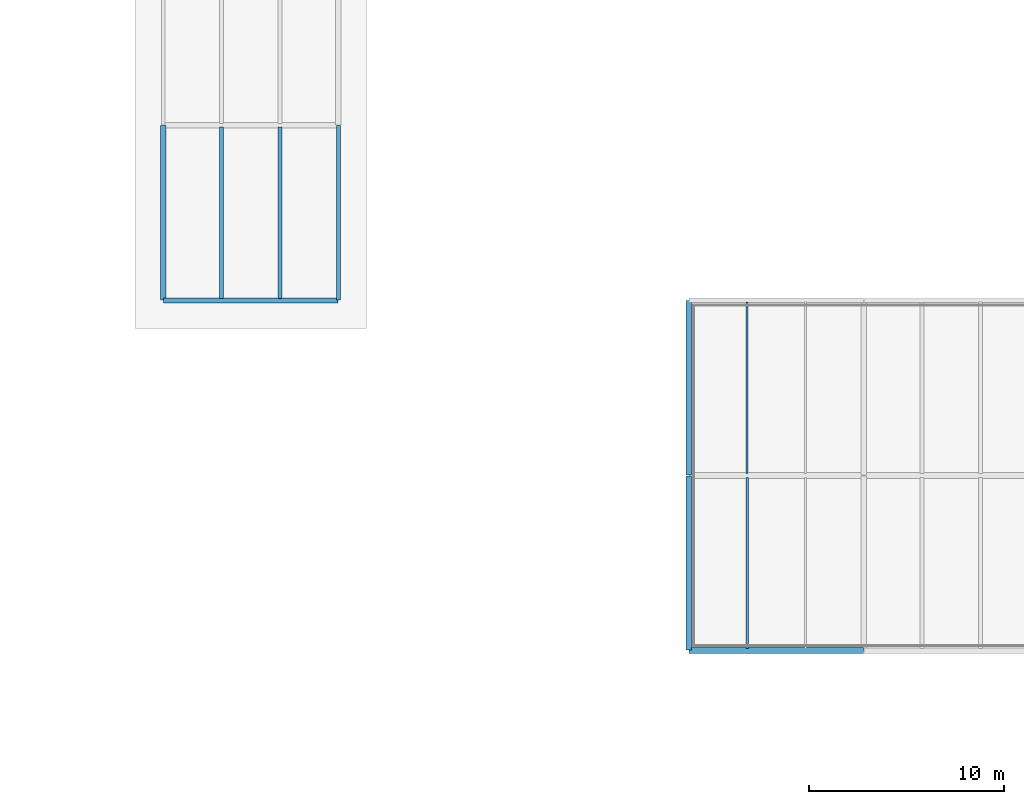
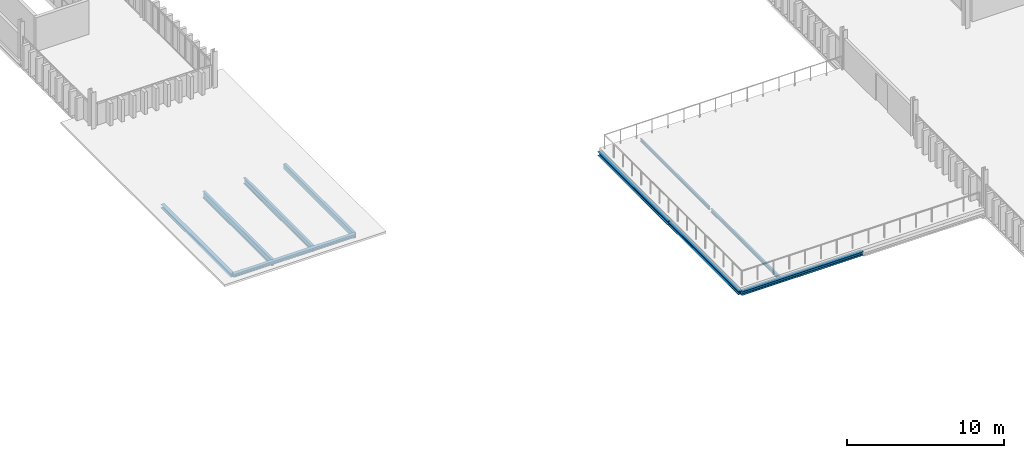
# One storey, part 12 of 58: 10 beams.
"""IFC4 building model written with IfcOpenShell, lengths in metres."""

import ifcopenshell
import ifcopenshell.guid

model = None  # the IFC model being written
_history = None  # IfcOwnerHistory: only IFC2X3 demands one
_inside = {}  # id of a spatial element -> (the spatial element, [elements in it])
_under = {}  # id of a project, library or spatial element -> (it, [spatial elements below it])
_declared = {}  # id of a project -> (the project, [libraries it declares])
_typed = {}  # id of a type object -> (the type object, [elements of that type])
_made_of = {}  # id of a material, layer set ... -> (it, [elements and type objects made of it])


def new_model(schema):
    """Start an empty IFC model of exactly this schema.

    Asked for "IFC4X3", IfcOpenShell would pick the latest addendum, in which some entities
    have other attributes; the version numbers below select the first issue.
    IFC2X3 requires an IfcOwnerHistory on every rooted entity: one is made here for all.
    """
    global model, _history
    if schema == "IFC4X3":
        model = ifcopenshell.file(schema_version=(4, 3, 0, 0))
    else:
        model = ifcopenshell.file(schema=schema)
    _inside.clear()
    _under.clear()
    _declared.clear()
    _typed.clear()
    _made_of.clear()
    _history = None
    if model.schema == "IFC2X3":
        org = make("IfcOrganization", Name="unknown")
        user = make(
            "IfcPersonAndOrganization",
            ThePerson=make("IfcPerson", FamilyName="unknown"),
            TheOrganization=org,
        )
        app = make(
            "IfcApplication",
            ApplicationDeveloper=org,
            Version="unknown",
            ApplicationFullName="unknown",
            ApplicationIdentifier="unknown",
        )
        _history = make(
            "IfcOwnerHistory",
            OwningUser=user,
            OwningApplication=app,
            ChangeAction="ADDED",
            CreationDate=0,
        )
    return model


def make(cls, **values):
    """One entity of the class cls with the attributes given. An attribute that is None is left unset."""
    return model.create_entity(
        cls, **{name: value for name, value in values.items() if value is not None}
    )


def rooted(cls, **values):
    """An entity with a GlobalId (a new one), such as an element, a storey or a relation."""
    return make(cls, GlobalId=ifcopenshell.guid.new(), OwnerHistory=_history, **values)


def si_unit(unit_type, name, prefix=None):
    """IfcSIUnit, for example si_unit("LENGTHUNIT", "METRE", prefix="MILLI")."""
    return make("IfcSIUnit", UnitType=unit_type, Prefix=prefix, Name=name)


def assignment(units):
    """IfcUnitAssignment: the units of a project."""
    return None if units is None else make("IfcUnitAssignment", Units=units)


def point(xyz):
    """IfcCartesianPoint."""
    return None if xyz is None else make("IfcCartesianPoint", Coordinates=xyz)


def direction(xyz):
    """IfcDirection."""
    return None if xyz is None else make("IfcDirection", DirectionRatios=xyz)


def frame(location, z_axis=None, x_axis=None):
    """IfcAxis2Placement3D, a coordinate frame: its origin and axes. An axis left out is left unset."""
    return make(
        "IfcAxis2Placement3D",
        Location=point(location),
        Axis=direction(z_axis),
        RefDirection=direction(x_axis),
    )


def frame_2d(location, x_axis=None):
    """IfcAxis2Placement2D, a coordinate frame in the plane: its origin and x axis."""
    return make(
        "IfcAxis2Placement2D", Location=point(location), RefDirection=direction(x_axis)
    )


def origin():
    """The frame at (0, 0, 0) with its axes left unset."""
    return frame((0.0, 0.0, 0.0))


def origin_2d():
    """The frame at (0, 0) in the plane with its x axis left unset."""
    return frame_2d((0.0, 0.0))


def place(relative_to, where):
    """IfcLocalPlacement: puts the frame where relative to a parent placement (None: the world)."""
    return make(
        "IfcLocalPlacement", PlacementRelTo=relative_to, RelativePlacement=where
    )


def context(
    kind, dimensions, precision=None, world=None, true_north=None, identifier=None
):
    """IfcGeometricRepresentationContext, for example the 3D "Model" context."""
    return make(
        "IfcGeometricRepresentationContext",
        ContextIdentifier=identifier,
        ContextType=kind,
        CoordinateSpaceDimension=dimensions,
        Precision=precision,
        WorldCoordinateSystem=world,
        TrueNorth=true_north,
    )


def subcontext(parent, identifier, kind, view, scale=None):
    """IfcGeometricRepresentationSubContext, for example "Body" below "Model"."""
    return make(
        "IfcGeometricRepresentationSubContext",
        ContextIdentifier=identifier,
        ContextType=kind,
        ParentContext=parent,
        TargetScale=scale,
        TargetView=view,
    )


def project(units=None, contexts=None):
    """IfcProject with its units and contexts."""
    return rooted(
        "IfcProject",
        Name="project",
        RepresentationContexts=contexts,
        UnitsInContext=assignment(units),
    )


def spatial(cls, under=None, at=None, **own):
    """A site, building, storey or space (cls), placed at a placement, below another one or the project."""
    s = rooted(cls, ObjectPlacement=at, **own)
    if under is not None:
        _under.setdefault(under.id(), (under, []))[1].append(s)
    return s


def profile(cls, at=None, kind="AREA", **sizes):
    """A parametric profile (cls). Its sizes go by their IFC names, for example OverallWidth=200.0."""
    return make(cls, ProfileType=kind, Position=at, **sizes)


def hollow_rectangle(**sizes):
    """IfcRectangleHollowProfileDef."""
    return profile("IfcRectangleHollowProfileDef", **sizes)


def i_section(**sizes):
    """IfcIShapeProfileDef."""
    return profile("IfcIShapeProfileDef", **sizes)


def extrude(swept, where, along, depth):
    """IfcExtrudedAreaSolid: the profile swept, set in the frame where, extruded along a direction by depth."""
    return make(
        "IfcExtrudedAreaSolid",
        SweptArea=swept,
        Position=where,
        ExtrudedDirection=direction(along),
        Depth=depth,
    )


def shape(context_of_items, identifier, shape_type, items):
    """IfcShapeRepresentation: the items that make up one representation, for example the "Body"."""
    return make(
        "IfcShapeRepresentation",
        ContextOfItems=context_of_items,
        RepresentationIdentifier=identifier,
        RepresentationType=shape_type,
        Items=items,
    )


def material(Name=None, Category=None):
    """IfcMaterial."""
    return make("IfcMaterial", Name=Name, Category=Category)


def material_profile(
    of_material, cross_section, Name=None, Category=None, Priority=None
):
    """IfcMaterialProfile: a cross section and its material."""
    return make(
        "IfcMaterialProfile",
        Name=Name,
        Material=of_material,
        Profile=cross_section,
        Priority=Priority,
        Category=Category,
    )


def profile_set(profiles, Name=None, composite=None):
    """IfcMaterialProfileSet."""
    return make(
        "IfcMaterialProfileSet",
        Name=Name,
        MaterialProfiles=profiles,
        CompositeProfile=composite,
    )


def made_of(thing, what):
    """Note that an element or type object is made of a material, layer set ...; save() writes the relation."""
    if what is not None:
        _made_of.setdefault(what.id(), (what, []))[1].append(thing)
    return thing


def type_object(cls, material=None, **own):
    """A type object (cls), such as IfcWallType, which elements share."""
    return made_of(rooted(cls, **own), material)


def element(
    cls,
    number,
    at=None,
    inside=None,
    cuts=None,
    type_object=None,
    material=None,
    context=None,
    identifier="Body",
    shape_type=None,
    held_by="IfcProductDefinitionShape",
    body=None,
    shapes=None,
    **own,
):
    """One element of the class cls, such as IfcWall. Its Tag is "e" and its number.

    at: its placement. inside: the storey or other place that contains it. cuts: it is an
    opening in that element (IfcRelVoidsElement). A single representation is given by context,
    identifier, shape_type and body (its items); several are given by shapes. held_by: the class
    of the entity that holds the representations. save() writes the other relations.
    """
    e = rooted(cls, Tag="e%d" % number, ObjectPlacement=at, **own)
    if body is not None:
        shapes = [shape(context, identifier, shape_type, body)]
    if shapes is not None:
        e.Representation = make(held_by, Representations=shapes)
    if inside is not None:
        _inside.setdefault(inside.id(), (inside, []))[1].append(e)
    if cuts is not None:
        rooted(
            "IfcRelVoidsElement", RelatingBuildingElement=cuts, RelatedOpeningElement=e
        )
    if type_object is not None:
        _typed.setdefault(type_object.id(), (type_object, []))[1].append(e)
    return made_of(e, material)


def aggregate(whole, parts):
    """IfcRelAggregates: a whole, such as a stair, and the parts it consists of."""
    return rooted("IfcRelAggregates", RelatingObject=whole, RelatedObjects=parts)


def save(model, path):
    """Write the relations noted so far, then the file.

    IfcRelAggregates (storeys below a building ...), IfcRelContainedInSpatialStructure (elements
    in a storey), IfcRelDefinesByType, IfcRelAssociatesMaterial and IfcRelDeclares: one each for
    every whole, place, type object, material and project.
    """
    for whole, parts in _under.values():
        aggregate(whole, parts)
    for where, things in _inside.values():
        rooted(
            "IfcRelContainedInSpatialStructure",
            RelatedElements=things,
            RelatingStructure=where,
        )
    for kind, things in _typed.values():
        rooted("IfcRelDefinesByType", RelatedObjects=things, RelatingType=kind)
    for what, things in _made_of.values():
        rooted("IfcRelAssociatesMaterial", RelatedObjects=things, RelatingMaterial=what)
    for by, libraries in _declared.values():
        rooted("IfcRelDeclares", RelatingContext=by, RelatedDefinitions=libraries)
    model.write(path)


model = new_model("IFC4")

# Units and contexts
model_context = context("Model", 3, precision=1e-05, world=origin(), true_north=direction((0.0, 1.0)))
body_context = subcontext(model_context, "Body", "Model", "MODEL_VIEW")
ifc_project = project(units=[si_unit("LENGTHUNIT", "METRE"), si_unit("AREAUNIT", "SQUARE_METRE"), si_unit("VOLUMEUNIT", "CUBIC_METRE"), si_unit("PLANEANGLEUNIT", "RADIAN"), si_unit("MASSUNIT", "GRAM", prefix="KILO")], contexts=[model_context])

# Site, building, storey
site_placement = place(None, origin())
site = spatial("IfcSite", under=ifc_project, at=site_placement, CompositionType="ELEMENT")
building_placement = place(site_placement, origin())
building = spatial("IfcBuilding", under=site, at=building_placement, Name="Barlavento Convention Centre", CompositionType="ELEMENT")
storey_placement = place(building_placement, frame((0.0, 0.0, 26.800048828125)))
storey = spatial("IfcBuildingStorey", under=building, at=storey_placement, Name="L05", CompositionType="ELEMENT", Elevation=26.800048828125)

# Beams
ifc_material = material(Name="Steel S355", Category="steel")
ifc_material_profile_1 = material_profile(ifc_material, i_section(OverallWidth=0.1201171875, OverallDepth=0.239990234375, WebThickness=0.006103515625, FlangeThickness=0.009765625, FilletRadius=0.014892578125, at=origin_2d()), Name="IPE 240")
ifc_profile_set_1 = profile_set([ifc_material_profile_1], Name="Steel S355")
beam_type_1 = type_object("IfcBeamType", Name="STR-BM-JST-IPE240", PredefinedType="JOIST", material=ifc_profile_set_1)
beam_1_placement = place(storey_placement, frame((156.0, 45.094970703125, -0.360107421875), z_axis=(0.0, 1.0, 0.0), x_axis=(-1.0, 0.0, 0.0)))
element("IfcBeam", 1, at=beam_1_placement, inside=storey, type_object=beam_type_1, Name="L05 composite floor joist SJ09", PredefinedType="JOIST", context=body_context, shape_type="SweptSolid", body=[
    extrude(i_section(OverallWidth=0.1201171875, OverallDepth=0.239990234375, WebThickness=0.006103515625, FlangeThickness=0.009765625, FilletRadius=0.014892578125, at=origin_2d()), origin(), (0.0, 0.0, 1.0), 8.81005859375),
])
ifc_material_profile_2 = material_profile(ifc_material, i_section(OverallWidth=0.135009765625, OverallDepth=0.27001953125, WebThickness=0.006591796875, FlangeThickness=0.01025390625, FilletRadius=0.014892578125, at=origin_2d()), Name="IPE 270")
ifc_profile_set_2 = profile_set([ifc_material_profile_2], Name="Steel S355")
beam_type_2 = type_object("IfcBeamType", Name="STR-BM-JST-IPE270", PredefinedType="JOIST", material=ifc_profile_set_2)
beam_2_placement = place(storey_placement, frame((156.0, 36.094970703125, -0.375), z_axis=(0.0, 1.0, 0.0), x_axis=(-1.0, 0.0, 0.0)))
element("IfcBeam", 2, at=beam_2_placement, inside=storey, type_object=beam_type_2, Name="L05 composite floor joist SJ08", PredefinedType="JOIST", context=body_context, shape_type="SweptSolid", body=[
    extrude(i_section(OverallWidth=0.135009765625, OverallDepth=0.27001953125, WebThickness=0.006591796875, FlangeThickness=0.01025390625, FilletRadius=0.014892578125, at=origin_2d()), origin(), (0.0, 0.0, 1.0), 8.81005859375),
])
ifc_material_profile_3 = material_profile(ifc_material, i_section(OverallWidth=0.18994140625, OverallDepth=0.449951171875, WebThickness=0.009521484375, FlangeThickness=0.0146484375, FilletRadius=0.02099609375, at=origin_2d()), Name="IPE 450")
ifc_profile_set_3 = profile_set([ifc_material_profile_3], Name="Steel S355")
beam_type_3 = type_object("IfcBeamType", Name="STR-BM-JST-IPE450", PredefinedType="JOIST", material=ifc_profile_set_3)
beam_3_placement = place(storey_placement, frame((132.0, 54.094970703125, -0.570068359375), z_axis=(0.0, 1.0, 0.0), x_axis=(-1.0, 0.0, 0.0)))
element("IfcBeam", 3, at=beam_3_placement, inside=storey, type_object=beam_type_3, Name="L05 composite floor joist SJ03", PredefinedType="JOIST", context=body_context, shape_type="SweptSolid", body=[
    extrude(i_section(OverallWidth=0.18994140625, OverallDepth=0.449951171875, WebThickness=0.009521484375, FlangeThickness=0.0146484375, FilletRadius=0.02099609375, at=origin_2d()), origin(), (0.0, 0.0, 1.0), 8.81005859375),
])
ifc_material_profile_4 = material_profile(ifc_material, i_section(OverallWidth=0.199951171875, OverallDepth=0.5, WebThickness=0.01025390625, FlangeThickness=0.01611328125, FilletRadius=0.02099609375, at=origin_2d()), Name="IPE 500")
ifc_profile_set_4 = profile_set([ifc_material_profile_4], Name="Steel S355")
beam_type_4 = type_object("IfcBeamType", Name="STR-BM-JST-IPE500", PredefinedType="JOIST", material=ifc_profile_set_4)
beam_4_placement = place(storey_placement, frame((129.0, 54.094970703125, -0.594970703125), z_axis=(0.0, 1.0, 0.0), x_axis=(-1.0, 0.0, 0.0)))
element("IfcBeam", 4, at=beam_4_placement, inside=storey, type_object=beam_type_4, Name="L05 composite floor joist SJ02", PredefinedType="JOIST", context=body_context, shape_type="SweptSolid", body=[
    extrude(i_section(OverallWidth=0.199951171875, OverallDepth=0.5, WebThickness=0.01025390625, FlangeThickness=0.01611328125, FilletRadius=0.02099609375, at=origin_2d()), origin(), (0.0, 0.0, 1.0), 8.81005859375),
])
ifc_material_profile_5 = material_profile(ifc_material, i_section(OverallWidth=0.260009765625, OverallDepth=0.25, WebThickness=0.007568359375, FlangeThickness=0.012451171875, FilletRadius=0.02392578125, at=origin_2d()), Name="HEA 260")
ifc_profile_set_5 = profile_set([ifc_material_profile_5], Name="Steel S355")
beam_type_5 = type_object("IfcBeamType", Name="STR-BM-SPN-HEA260", PredefinedType="SPANDREL", material=ifc_profile_set_5)
beam_5_placement = place(storey_placement, frame((126.02001953125, 54.0, -0.469970703125), z_axis=(1.0, 0.0, 0.0), x_axis=(0.0, 1.0, 0.0)))
element("IfcBeam", 5, at=beam_5_placement, inside=storey, type_object=beam_type_5, Name="L05 primary girder SP04", PredefinedType="SPANDREL", context=body_context, shape_type="SweptSolid", body=[
    extrude(i_section(OverallWidth=0.260009765625, OverallDepth=0.25, WebThickness=0.007568359375, FlangeThickness=0.012451171875, FilletRadius=0.02392578125, at=origin_2d()), origin(), (0.0, 0.0, 1.0), 8.9599609375),
])
ifc_material_profile_6 = material_profile(ifc_material, i_section(OverallWidth=0.280029296875, OverallDepth=0.27001953125, WebThickness=0.008056640625, FlangeThickness=0.012939453125, FilletRadius=0.02392578125, at=origin_2d()), Name="HEA 280")
ifc_profile_set_6 = profile_set([ifc_material_profile_6], Name="Steel S355")
beam_type_6 = type_object("IfcBeamType", Name="STR-BM-SPN-HEA280", PredefinedType="SPANDREL", material=ifc_profile_set_6)
for number, where, z_axis, x_axis, name in (
    (6, (153.0, 36.02001953125, -0.375), (0.0, 1.0, 0.0), (-1.0, 0.0, 0.0), "L05 grid girder SP03"),
    (7, (126.0, 54.02001953125, -0.47998046875), (0.0, 1.0, 0.0), (-1.0, 0.0, 0.0), "L05 grid girder SP03"),
):
    element("IfcBeam", number, at=place(storey_placement, frame(where, z_axis=z_axis, x_axis=x_axis)), inside=storey, type_object=beam_type_6, Name=name, PredefinedType="SPANDREL", context=body_context, shape_type="SweptSolid", body=[
        extrude(i_section(OverallWidth=0.280029296875, OverallDepth=0.27001953125, WebThickness=0.008056640625, FlangeThickness=0.012939453125, FilletRadius=0.02392578125, at=origin_2d()), origin(), (0.0, 0.0, 1.0), 8.9599609375),
    ])
ifc_material_profile_7 = material_profile(ifc_material, i_section(OverallWidth=0.300048828125, OverallDepth=0.2900390625, WebThickness=0.008544921875, FlangeThickness=0.013916015625, FilletRadius=0.027099609375, at=origin_2d()), Name="HEA 300")
ifc_profile_set_7 = profile_set([ifc_material_profile_7], Name="Steel S355")
beam_type_7 = type_object("IfcBeamType", Name="STR-BM-SPN-HEA300", PredefinedType="SPANDREL", material=ifc_profile_set_7)
for number, where, z_axis, x_axis, name in (
    (8, (153.02001953125, 36.0, -0.385009765625), (1.0, 0.0, 0.0), (0.0, 1.0, 0.0), "L05 primary girder SP02"),
    (9, (153.0, 45.02001953125, -0.385009765625), (0.0, 1.0, 0.0), (-1.0, 0.0, 0.0), "L05 grid girder SP02"),
):
    element("IfcBeam", number, at=place(storey_placement, frame(where, z_axis=z_axis, x_axis=x_axis)), inside=storey, type_object=beam_type_7, Name=name, PredefinedType="SPANDREL", context=body_context, shape_type="SweptSolid", body=[
        extrude(i_section(OverallWidth=0.300048828125, OverallDepth=0.2900390625, WebThickness=0.008544921875, FlangeThickness=0.013916015625, FilletRadius=0.027099609375, at=origin_2d()), origin(), (0.0, 0.0, 1.0), 8.9599609375),
    ])
ifc_material_profile_8 = material_profile(ifc_material, hollow_rectangle(XDim=0.199951171875, YDim=0.39990234375, WallThickness=0.01611328125, at=origin_2d()), Name="RHS 400x200x16.0")
ifc_profile_set_8 = profile_set([ifc_material_profile_8], Name="Steel S355")
beam_type_8 = type_object("IfcBeamType", Name="STR-BM-SPN-RHS400", PredefinedType="SPANDREL", material=ifc_profile_set_8)
beam_6_placement = place(storey_placement, frame((135.0, 54.02001953125, -0.545166015625), z_axis=(0.0, 1.0, 0.0), x_axis=(-1.0, 0.0, 0.0)))
element("IfcBeam", 10, at=beam_6_placement, inside=storey, type_object=beam_type_8, Name="L05 grid girder SP06", PredefinedType="SPANDREL", context=body_context, shape_type="SweptSolid", body=[
    extrude(hollow_rectangle(XDim=0.199951171875, YDim=0.39990234375, WallThickness=0.01611328125, at=origin_2d()), origin(), (0.0, 0.0, 1.0), 8.9599609375),
])

save(model, "model.ifc")
